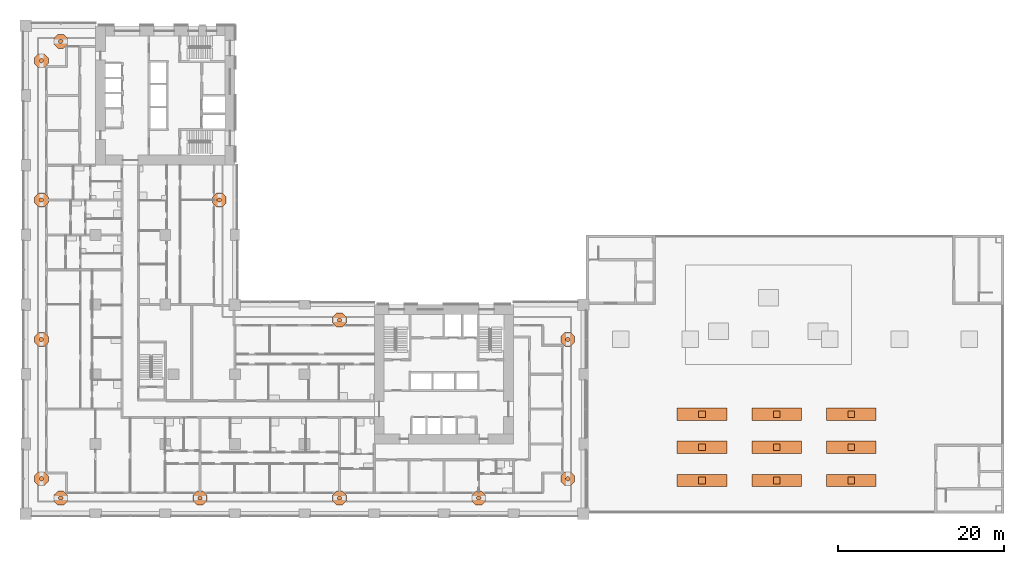
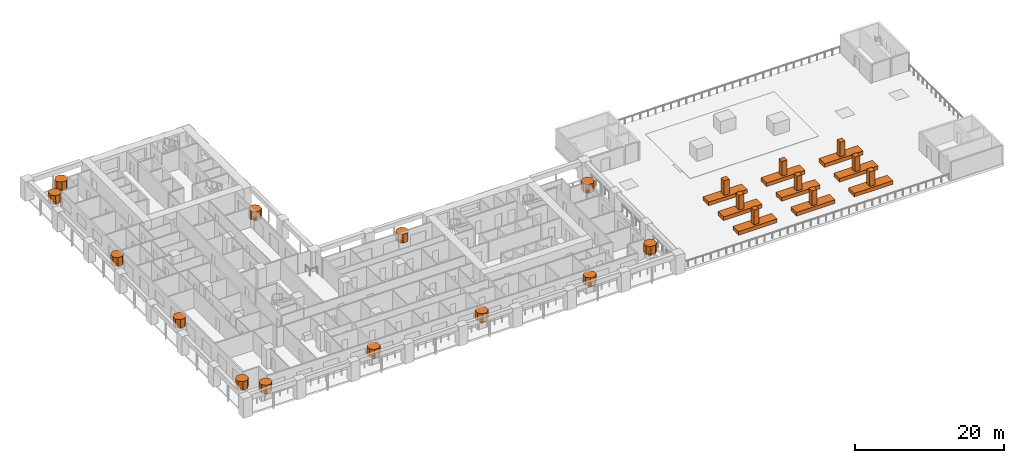
# One storey, part 23 of 23: 26 geographic elements, 18 proxies.
"""IFC4 building model written with IfcOpenShell, lengths in metres."""

from ifc_helpers import new_model, si_unit, direction, frame, origin, origin_2d, place, context, subcontext, project, spatial, polyline, rectangle, outline, extrude, material, element, save


model = new_model("IFC4")

# Units and contexts
model_context = context("Model", 3, precision=1e-05, world=origin(), true_north=direction((0.0, 1.0)))
body_context = subcontext(model_context, "Body", "Model", "MODEL_VIEW")
ifc_project = project(units=[si_unit("LENGTHUNIT", "METRE"), si_unit("AREAUNIT", "SQUARE_METRE"), si_unit("VOLUMEUNIT", "CUBIC_METRE"), si_unit("PLANEANGLEUNIT", "RADIAN"), si_unit("MASSUNIT", "GRAM", prefix="KILO")], contexts=[model_context])

# Site, building, storey
site_placement = place(None, origin())
site = spatial("IfcSite", under=ifc_project, at=site_placement, CompositionType="ELEMENT")
building_placement = place(site_placement, origin())
building = spatial("IfcBuilding", under=site, at=building_placement, Name="Vermilion Gate Residences", CompositionType="ELEMENT")
storey_placement = place(building_placement, frame((0.0, 0.0, 25.199951171875)))
storey = spatial("IfcBuildingStorey", under=building, at=storey_placement, Name="L04", CompositionType="ELEMENT", Elevation=25.199951171875)

# Geographic elements
ifc_material_1 = material(Name="Foliage")
geographic_element_1_placement = place(storey_placement, frame((0.0, 0.0, 0.900146484375)))
element("IfcGeographicElement", 1, at=geographic_element_1_placement, inside=storey, material=ifc_material_1, Name="Tree (black pine)", ObjectType="TREE", PredefinedType="USERDEFINED", context=body_context, shape_type="SweptSolid", body=[
    extrude(outline(polyline([(4.4541015625, 1.980224609375), (4.30517578125, 2.129150390625), (4.0947265625, 2.129150390625), (3.94580078125, 1.980224609375), (3.94580078125, 1.769775390625), (4.0947265625, 1.620849609375), (4.30517578125, 1.620849609375), (4.4541015625, 1.769775390625), (4.4541015625, 1.980224609375)])), origin(), (0.0, 0.0, 1.0), 0.52001953125),
])
geographic_element_2_placement = place(storey_placement, frame((0.0, 0.0, 1.420166015625)))
element("IfcGeographicElement", 2, at=geographic_element_2_placement, inside=storey, material=ifc_material_1, Name="Tree crown (black pine)", ObjectType="TREE", PredefinedType="USERDEFINED", context=body_context, shape_type="SweptSolid", body=[
    extrude(outline(polyline([(5.031494140625, 2.219482421875), (4.54443359375, 2.70654296875), (3.855712890625, 2.70654296875), (3.368408203125, 2.219482421875), (3.368408203125, 1.530517578125), (3.855712890625, 1.04345703125), (4.54443359375, 1.04345703125), (5.031494140625, 1.530517578125), (5.031494140625, 2.219482421875)])), origin(), (0.0, 0.0, 1.0), 1.39990234375),
])
geographic_element_3_placement = place(storey_placement, frame((0.0, 0.0, 0.900146484375)))
element("IfcGeographicElement", 3, at=geographic_element_3_placement, inside=storey, material=ifc_material_1, Name="Tree (maple)", ObjectType="TREE", PredefinedType="USERDEFINED", context=body_context, shape_type="SweptSolid", body=[
    extrude(outline(polyline([(21.254150390625, 1.980224609375), (21.105224609375, 2.129150390625), (20.894775390625, 2.129150390625), (20.745849609375, 1.980224609375), (20.745849609375, 1.769775390625), (20.894775390625, 1.620849609375), (21.105224609375, 1.620849609375), (21.254150390625, 1.769775390625), (21.254150390625, 1.980224609375)])), origin(), (0.0, 0.0, 1.0), 0.52001953125),
])
geographic_element_4_placement = place(storey_placement, frame((0.0, 0.0, 1.420166015625)))
element("IfcGeographicElement", 4, at=geographic_element_4_placement, inside=storey, material=ifc_material_1, Name="Tree crown (maple)", ObjectType="TREE", PredefinedType="USERDEFINED", context=body_context, shape_type="SweptSolid", body=[
    extrude(outline(polyline([(21.83154296875, 2.219482421875), (21.344482421875, 2.70654296875), (20.655517578125, 2.70654296875), (20.16845703125, 2.219482421875), (20.16845703125, 1.530517578125), (20.655517578125, 1.04345703125), (21.344482421875, 1.04345703125), (21.83154296875, 1.530517578125), (21.83154296875, 2.219482421875)])), origin(), (0.0, 0.0, 1.0), 1.39990234375),
])
geographic_element_5_placement = place(storey_placement, frame((0.0, 0.0, 0.900146484375)))
element("IfcGeographicElement", 5, at=geographic_element_5_placement, inside=storey, material=ifc_material_1, Name="Tree (black pine)", ObjectType="TREE", PredefinedType="USERDEFINED", context=body_context, shape_type="SweptSolid", body=[
    extrude(outline(polyline([(38.05419921875, 1.980224609375), (37.9052734375, 2.129150390625), (37.69482421875, 2.129150390625), (37.5458984375, 1.980224609375), (37.5458984375, 1.769775390625), (37.69482421875, 1.620849609375), (37.9052734375, 1.620849609375), (38.05419921875, 1.769775390625), (38.05419921875, 1.980224609375)])), origin(), (0.0, 0.0, 1.0), 0.52001953125),
])
geographic_element_6_placement = place(storey_placement, frame((0.0, 0.0, 1.420166015625)))
element("IfcGeographicElement", 6, at=geographic_element_6_placement, inside=storey, material=ifc_material_1, Name="Tree crown (black pine)", ObjectType="TREE", PredefinedType="USERDEFINED", context=body_context, shape_type="SweptSolid", body=[
    extrude(outline(polyline([(38.631591796875, 2.219482421875), (38.144287109375, 2.70654296875), (37.45556640625, 2.70654296875), (36.968505859375, 2.219482421875), (36.968505859375, 1.530517578125), (37.45556640625, 1.04345703125), (38.144287109375, 1.04345703125), (38.631591796875, 1.530517578125), (38.631591796875, 2.219482421875)])), origin(), (0.0, 0.0, 1.0), 1.39990234375),
])
geographic_element_7_placement = place(storey_placement, frame((0.0, 0.0, 0.900146484375)))
element("IfcGeographicElement", 7, at=geographic_element_7_placement, inside=storey, material=ifc_material_1, Name="Tree (maple)", ObjectType="TREE", PredefinedType="USERDEFINED", context=body_context, shape_type="SweptSolid", body=[
    extrude(outline(polyline([(54.85400390625, 1.980224609375), (54.705078125, 2.129150390625), (54.494873046875, 2.129150390625), (54.345947265625, 1.980224609375), (54.345947265625, 1.769775390625), (54.494873046875, 1.620849609375), (54.705078125, 1.620849609375), (54.85400390625, 1.769775390625), (54.85400390625, 1.980224609375)])), origin(), (0.0, 0.0, 1.0), 0.52001953125),
])
geographic_element_8_placement = place(storey_placement, frame((0.0, 0.0, 1.420166015625)))
element("IfcGeographicElement", 8, at=geographic_element_8_placement, inside=storey, material=ifc_material_1, Name="Tree crown (maple)", ObjectType="TREE", PredefinedType="USERDEFINED", context=body_context, shape_type="SweptSolid", body=[
    extrude(outline(polyline([(55.431396484375, 2.219482421875), (54.9443359375, 2.70654296875), (54.255615234375, 2.70654296875), (53.7685546875, 2.219482421875), (53.7685546875, 1.530517578125), (54.255615234375, 1.04345703125), (54.9443359375, 1.04345703125), (55.431396484375, 1.530517578125), (55.431396484375, 2.219482421875)])), origin(), (0.0, 0.0, 1.0), 1.39990234375),
])
geographic_element_9_placement = place(storey_placement, frame((0.0, 0.0, 0.900146484375)))
element("IfcGeographicElement", 9, at=geographic_element_9_placement, inside=storey, material=ifc_material_1, Name="Tree (black pine)", ObjectType="TREE", PredefinedType="USERDEFINED", context=body_context, shape_type="SweptSolid", body=[
    extrude(outline(polyline([(65.5791015625, 4.30517578125), (65.43017578125, 4.4541015625), (65.2197265625, 4.4541015625), (65.07080078125, 4.30517578125), (65.07080078125, 4.0947265625), (65.2197265625, 3.94580078125), (65.43017578125, 3.94580078125), (65.5791015625, 4.0947265625), (65.5791015625, 4.30517578125)])), origin(), (0.0, 0.0, 1.0), 0.52001953125),
])
geographic_element_10_placement = place(storey_placement, frame((0.0, 0.0, 1.420166015625)))
element("IfcGeographicElement", 10, at=geographic_element_10_placement, inside=storey, material=ifc_material_1, Name="Tree crown (black pine)", ObjectType="TREE", PredefinedType="USERDEFINED", context=body_context, shape_type="SweptSolid", body=[
    extrude(outline(polyline([(66.156494140625, 4.54443359375), (65.66943359375, 5.031494140625), (64.980712890625, 5.031494140625), (64.493408203125, 4.54443359375), (64.493408203125, 3.855712890625), (64.980712890625, 3.368408203125), (65.66943359375, 3.368408203125), (66.156494140625, 3.855712890625), (66.156494140625, 4.54443359375)])), origin(), (0.0, 0.0, 1.0), 1.39990234375),
])
geographic_element_11_placement = place(storey_placement, frame((0.0, 0.0, 0.900146484375)))
element("IfcGeographicElement", 11, at=geographic_element_11_placement, inside=storey, material=ifc_material_1, Name="Tree (maple)", ObjectType="TREE", PredefinedType="USERDEFINED", context=body_context, shape_type="SweptSolid", body=[
    extrude(outline(polyline([(65.5791015625, 21.105224609375), (65.43017578125, 21.254150390625), (65.2197265625, 21.254150390625), (65.07080078125, 21.105224609375), (65.07080078125, 20.894775390625), (65.2197265625, 20.745849609375), (65.43017578125, 20.745849609375), (65.5791015625, 20.894775390625), (65.5791015625, 21.105224609375)])), origin(), (0.0, 0.0, 1.0), 0.52001953125),
])
geographic_element_12_placement = place(storey_placement, frame((0.0, 0.0, 1.420166015625)))
element("IfcGeographicElement", 12, at=geographic_element_12_placement, inside=storey, material=ifc_material_1, Name="Tree crown (maple)", ObjectType="TREE", PredefinedType="USERDEFINED", context=body_context, shape_type="SweptSolid", body=[
    extrude(outline(polyline([(66.156494140625, 21.344482421875), (65.66943359375, 21.83154296875), (64.980712890625, 21.83154296875), (64.493408203125, 21.344482421875), (64.493408203125, 20.655517578125), (64.980712890625, 20.16845703125), (65.66943359375, 20.16845703125), (66.156494140625, 20.655517578125), (66.156494140625, 21.344482421875)])), origin(), (0.0, 0.0, 1.0), 1.39990234375),
])
geographic_element_13_placement = place(storey_placement, frame((0.0, 0.0, 0.900146484375)))
element("IfcGeographicElement", 13, at=geographic_element_13_placement, inside=storey, material=ifc_material_1, Name="Tree (black pine)", ObjectType="TREE", PredefinedType="USERDEFINED", context=body_context, shape_type="SweptSolid", body=[
    extrude(outline(polyline([(38.05419921875, 23.43017578125), (37.9052734375, 23.5791015625), (37.69482421875, 23.5791015625), (37.5458984375, 23.43017578125), (37.5458984375, 23.2197265625), (37.69482421875, 23.07080078125), (37.9052734375, 23.07080078125), (38.05419921875, 23.2197265625), (38.05419921875, 23.43017578125)])), origin(), (0.0, 0.0, 1.0), 0.52001953125),
])
geographic_element_14_placement = place(storey_placement, frame((0.0, 0.0, 1.420166015625)))
element("IfcGeographicElement", 14, at=geographic_element_14_placement, inside=storey, material=ifc_material_1, Name="Tree crown (black pine)", ObjectType="TREE", PredefinedType="USERDEFINED", context=body_context, shape_type="SweptSolid", body=[
    extrude(outline(polyline([(38.631591796875, 23.66943359375), (38.144287109375, 24.156494140625), (37.45556640625, 24.156494140625), (36.968505859375, 23.66943359375), (36.968505859375, 22.980712890625), (37.45556640625, 22.493408203125), (38.144287109375, 22.493408203125), (38.631591796875, 22.980712890625), (38.631591796875, 23.66943359375)])), origin(), (0.0, 0.0, 1.0), 1.39990234375),
])
geographic_element_15_placement = place(storey_placement, frame((0.0, 0.0, 0.900146484375)))
element("IfcGeographicElement", 15, at=geographic_element_15_placement, inside=storey, material=ifc_material_1, Name="Tree (black pine)", ObjectType="TREE", PredefinedType="USERDEFINED", context=body_context, shape_type="SweptSolid", body=[
    extrude(outline(polyline([(23.5791015625, 37.9052734375), (23.43017578125, 38.05419921875), (23.2197265625, 38.05419921875), (23.07080078125, 37.9052734375), (23.07080078125, 37.69482421875), (23.2197265625, 37.5458984375), (23.43017578125, 37.5458984375), (23.5791015625, 37.69482421875), (23.5791015625, 37.9052734375)])), origin(), (0.0, 0.0, 1.0), 0.52001953125),
])
geographic_element_16_placement = place(storey_placement, frame((0.0, 0.0, 1.420166015625)))
element("IfcGeographicElement", 16, at=geographic_element_16_placement, inside=storey, material=ifc_material_1, Name="Tree crown (black pine)", ObjectType="TREE", PredefinedType="USERDEFINED", context=body_context, shape_type="SweptSolid", body=[
    extrude(outline(polyline([(24.156494140625, 38.144287109375), (23.66943359375, 38.631591796875), (22.980712890625, 38.631591796875), (22.493408203125, 38.144287109375), (22.493408203125, 37.45556640625), (22.980712890625, 36.968505859375), (23.66943359375, 36.968505859375), (24.156494140625, 37.45556640625), (24.156494140625, 38.144287109375)])), origin(), (0.0, 0.0, 1.0), 1.39990234375),
])
geographic_element_17_placement = place(storey_placement, frame((0.0, 0.0, 0.900146484375)))
element("IfcGeographicElement", 17, at=geographic_element_17_placement, inside=storey, material=ifc_material_1, Name="Tree (black pine)", ObjectType="TREE", PredefinedType="USERDEFINED", context=body_context, shape_type="SweptSolid", body=[
    extrude(outline(polyline([(4.4541015625, 57.0302734375), (4.30517578125, 57.17919921875), (4.0947265625, 57.17919921875), (3.94580078125, 57.0302734375), (3.94580078125, 56.81982421875), (4.0947265625, 56.6708984375), (4.30517578125, 56.6708984375), (4.4541015625, 56.81982421875), (4.4541015625, 57.0302734375)])), origin(), (0.0, 0.0, 1.0), 0.52001953125),
])
geographic_element_18_placement = place(storey_placement, frame((0.0, 0.0, 1.420166015625)))
element("IfcGeographicElement", 18, at=geographic_element_18_placement, inside=storey, material=ifc_material_1, Name="Tree crown (black pine)", ObjectType="TREE", PredefinedType="USERDEFINED", context=body_context, shape_type="SweptSolid", body=[
    extrude(outline(polyline([(5.031494140625, 57.269287109375), (4.54443359375, 57.756591796875), (3.855712890625, 57.756591796875), (3.368408203125, 57.269287109375), (3.368408203125, 56.58056640625), (3.855712890625, 56.093505859375), (4.54443359375, 56.093505859375), (5.031494140625, 56.58056640625), (5.031494140625, 57.269287109375)])), origin(), (0.0, 0.0, 1.0), 1.39990234375),
])
geographic_element_19_placement = place(storey_placement, frame((0.0, 0.0, 0.900146484375)))
element("IfcGeographicElement", 19, at=geographic_element_19_placement, inside=storey, material=ifc_material_1, Name="Tree (black pine)", ObjectType="TREE", PredefinedType="USERDEFINED", context=body_context, shape_type="SweptSolid", body=[
    extrude(outline(polyline([(2.129150390625, 4.30517578125), (1.980224609375, 4.4541015625), (1.769775390625, 4.4541015625), (1.620849609375, 4.30517578125), (1.620849609375, 4.0947265625), (1.769775390625, 3.94580078125), (1.980224609375, 3.94580078125), (2.129150390625, 4.0947265625), (2.129150390625, 4.30517578125)])), origin(), (0.0, 0.0, 1.0), 0.52001953125),
])
geographic_element_20_placement = place(storey_placement, frame((0.0, 0.0, 1.420166015625)))
element("IfcGeographicElement", 20, at=geographic_element_20_placement, inside=storey, material=ifc_material_1, Name="Tree crown (black pine)", ObjectType="TREE", PredefinedType="USERDEFINED", context=body_context, shape_type="SweptSolid", body=[
    extrude(outline(polyline([(2.70654296875, 4.54443359375), (2.219482421875, 5.031494140625), (1.530517578125, 5.031494140625), (1.04345703125, 4.54443359375), (1.04345703125, 3.855712890625), (1.530517578125, 3.368408203125), (2.219482421875, 3.368408203125), (2.70654296875, 3.855712890625), (2.70654296875, 4.54443359375)])), origin(), (0.0, 0.0, 1.0), 1.39990234375),
])
geographic_element_21_placement = place(storey_placement, frame((0.0, 0.0, 0.900146484375)))
element("IfcGeographicElement", 21, at=geographic_element_21_placement, inside=storey, material=ifc_material_1, Name="Tree (maple)", ObjectType="TREE", PredefinedType="USERDEFINED", context=body_context, shape_type="SweptSolid", body=[
    extrude(outline(polyline([(2.129150390625, 21.105224609375), (1.980224609375, 21.254150390625), (1.769775390625, 21.254150390625), (1.620849609375, 21.105224609375), (1.620849609375, 20.894775390625), (1.769775390625, 20.745849609375), (1.980224609375, 20.745849609375), (2.129150390625, 20.894775390625), (2.129150390625, 21.105224609375)])), origin(), (0.0, 0.0, 1.0), 0.52001953125),
])
geographic_element_22_placement = place(storey_placement, frame((0.0, 0.0, 1.420166015625)))
element("IfcGeographicElement", 22, at=geographic_element_22_placement, inside=storey, material=ifc_material_1, Name="Tree crown (maple)", ObjectType="TREE", PredefinedType="USERDEFINED", context=body_context, shape_type="SweptSolid", body=[
    extrude(outline(polyline([(2.70654296875, 21.344482421875), (2.219482421875, 21.83154296875), (1.530517578125, 21.83154296875), (1.04345703125, 21.344482421875), (1.04345703125, 20.655517578125), (1.530517578125, 20.16845703125), (2.219482421875, 20.16845703125), (2.70654296875, 20.655517578125), (2.70654296875, 21.344482421875)])), origin(), (0.0, 0.0, 1.0), 1.39990234375),
])
geographic_element_23_placement = place(storey_placement, frame((0.0, 0.0, 0.900146484375)))
element("IfcGeographicElement", 23, at=geographic_element_23_placement, inside=storey, material=ifc_material_1, Name="Tree (black pine)", ObjectType="TREE", PredefinedType="USERDEFINED", context=body_context, shape_type="SweptSolid", body=[
    extrude(outline(polyline([(2.129150390625, 37.9052734375), (1.980224609375, 38.05419921875), (1.769775390625, 38.05419921875), (1.620849609375, 37.9052734375), (1.620849609375, 37.69482421875), (1.769775390625, 37.5458984375), (1.980224609375, 37.5458984375), (2.129150390625, 37.69482421875), (2.129150390625, 37.9052734375)])), origin(), (0.0, 0.0, 1.0), 0.52001953125),
])
geographic_element_24_placement = place(storey_placement, frame((0.0, 0.0, 1.420166015625)))
element("IfcGeographicElement", 24, at=geographic_element_24_placement, inside=storey, material=ifc_material_1, Name="Tree crown (black pine)", ObjectType="TREE", PredefinedType="USERDEFINED", context=body_context, shape_type="SweptSolid", body=[
    extrude(outline(polyline([(2.70654296875, 38.144287109375), (2.219482421875, 38.631591796875), (1.530517578125, 38.631591796875), (1.04345703125, 38.144287109375), (1.04345703125, 37.45556640625), (1.530517578125, 36.968505859375), (2.219482421875, 36.968505859375), (2.70654296875, 37.45556640625), (2.70654296875, 38.144287109375)])), origin(), (0.0, 0.0, 1.0), 1.39990234375),
])
geographic_element_25_placement = place(storey_placement, frame((0.0, 0.0, 0.900146484375)))
element("IfcGeographicElement", 25, at=geographic_element_25_placement, inside=storey, material=ifc_material_1, Name="Tree (maple)", ObjectType="TREE", PredefinedType="USERDEFINED", context=body_context, shape_type="SweptSolid", body=[
    extrude(outline(polyline([(2.129150390625, 54.705078125), (1.980224609375, 54.85400390625), (1.769775390625, 54.85400390625), (1.620849609375, 54.705078125), (1.620849609375, 54.494873046875), (1.769775390625, 54.345947265625), (1.980224609375, 54.345947265625), (2.129150390625, 54.494873046875), (2.129150390625, 54.705078125)])), origin(), (0.0, 0.0, 1.0), 0.52001953125),
])
geographic_element_26_placement = place(storey_placement, frame((0.0, 0.0, 1.420166015625)))
element("IfcGeographicElement", 26, at=geographic_element_26_placement, inside=storey, material=ifc_material_1, Name="Tree crown (maple)", ObjectType="TREE", PredefinedType="USERDEFINED", context=body_context, shape_type="SweptSolid", body=[
    extrude(outline(polyline([(2.70654296875, 54.9443359375), (2.219482421875, 55.431396484375), (1.530517578125, 55.431396484375), (1.04345703125, 54.9443359375), (1.04345703125, 54.255615234375), (1.530517578125, 53.7685546875), (2.219482421875, 53.7685546875), (2.70654296875, 54.255615234375), (2.70654296875, 54.9443359375)])), origin(), (0.0, 0.0, 1.0), 1.39990234375),
])

# Proxies
ifc_material_2 = material(Name="Planting soil")
proxy_1_placement = place(storey_placement, frame((81.5, 4.0, 0.0), z_axis=(0.0, 0.0, 1.0), x_axis=(1.0, 0.0, 0.0)))
element("IfcBuildingElementProxy", 27, at=proxy_1_placement, inside=storey, material=ifc_material_2, Name="Market garden bed 1", ObjectType="PLANTER", PredefinedType="USERDEFINED", context=body_context, shape_type="SweptSolid", body=[
    extrude(rectangle(XDim=6.0, YDim=1.5, at=origin_2d()), origin(), (0.0, 0.0, 1.0), 0.60009765625),
])
proxy_2_placement = place(storey_placement, frame((81.5, 4.0, 0.60009765625), z_axis=(0.0, 0.0, 1.0), x_axis=(1.0, 0.0, 0.0)))
element("IfcBuildingElementProxy", 28, at=proxy_2_placement, inside=storey, material=ifc_material_1, Name="Fruit tree 1", ObjectType="TREE", PredefinedType="USERDEFINED", context=body_context, shape_type="SweptSolid", body=[
    extrude(rectangle(XDim=0.800048828125, YDim=0.800048828125, at=origin_2d()), origin(), (0.0, 0.0, 1.0), 2.39990234375),
])
proxy_3_placement = place(storey_placement, frame((90.5, 4.0, 0.0), z_axis=(0.0, 0.0, 1.0), x_axis=(1.0, 0.0, 0.0)))
element("IfcBuildingElementProxy", 29, at=proxy_3_placement, inside=storey, material=ifc_material_2, Name="Market garden bed 2", ObjectType="PLANTER", PredefinedType="USERDEFINED", context=body_context, shape_type="SweptSolid", body=[
    extrude(rectangle(XDim=6.0, YDim=1.5, at=origin_2d()), origin(), (0.0, 0.0, 1.0), 0.60009765625),
])
proxy_4_placement = place(storey_placement, frame((90.5, 4.0, 0.60009765625), z_axis=(0.0, 0.0, 1.0), x_axis=(1.0, 0.0, 0.0)))
element("IfcBuildingElementProxy", 30, at=proxy_4_placement, inside=storey, material=ifc_material_1, Name="Fruit tree 2", ObjectType="TREE", PredefinedType="USERDEFINED", context=body_context, shape_type="SweptSolid", body=[
    extrude(rectangle(XDim=0.800048828125, YDim=0.800048828125, at=origin_2d()), origin(), (0.0, 0.0, 1.0), 2.39990234375),
])
proxy_5_placement = place(storey_placement, frame((99.5, 4.0, 0.0), z_axis=(0.0, 0.0, 1.0), x_axis=(1.0, 0.0, 0.0)))
element("IfcBuildingElementProxy", 31, at=proxy_5_placement, inside=storey, material=ifc_material_2, Name="Market garden bed 3", ObjectType="PLANTER", PredefinedType="USERDEFINED", context=body_context, shape_type="SweptSolid", body=[
    extrude(rectangle(XDim=6.0, YDim=1.5, at=origin_2d()), origin(), (0.0, 0.0, 1.0), 0.60009765625),
])
proxy_6_placement = place(storey_placement, frame((99.5, 4.0, 0.60009765625), z_axis=(0.0, 0.0, 1.0), x_axis=(1.0, 0.0, 0.0)))
element("IfcBuildingElementProxy", 32, at=proxy_6_placement, inside=storey, material=ifc_material_1, Name="Fruit tree 3", ObjectType="TREE", PredefinedType="USERDEFINED", context=body_context, shape_type="SweptSolid", body=[
    extrude(rectangle(XDim=0.800048828125, YDim=0.800048828125, at=origin_2d()), origin(), (0.0, 0.0, 1.0), 2.39990234375),
])
proxy_7_placement = place(storey_placement, frame((81.5, 8.0, 0.0), z_axis=(0.0, 0.0, 1.0), x_axis=(1.0, 0.0, 0.0)))
element("IfcBuildingElementProxy", 33, at=proxy_7_placement, inside=storey, material=ifc_material_2, Name="Market garden bed 4", ObjectType="PLANTER", PredefinedType="USERDEFINED", context=body_context, shape_type="SweptSolid", body=[
    extrude(rectangle(XDim=6.0, YDim=1.5, at=origin_2d()), origin(), (0.0, 0.0, 1.0), 0.60009765625),
])
proxy_8_placement = place(storey_placement, frame((81.5, 8.0, 0.60009765625), z_axis=(0.0, 0.0, 1.0), x_axis=(1.0, 0.0, 0.0)))
element("IfcBuildingElementProxy", 34, at=proxy_8_placement, inside=storey, material=ifc_material_1, Name="Fruit tree 4", ObjectType="TREE", PredefinedType="USERDEFINED", context=body_context, shape_type="SweptSolid", body=[
    extrude(rectangle(XDim=0.800048828125, YDim=0.800048828125, at=origin_2d()), origin(), (0.0, 0.0, 1.0), 2.39990234375),
])
proxy_9_placement = place(storey_placement, frame((90.5, 8.0, 0.0), z_axis=(0.0, 0.0, 1.0), x_axis=(1.0, 0.0, 0.0)))
element("IfcBuildingElementProxy", 35, at=proxy_9_placement, inside=storey, material=ifc_material_2, Name="Market garden bed 5", ObjectType="PLANTER", PredefinedType="USERDEFINED", context=body_context, shape_type="SweptSolid", body=[
    extrude(rectangle(XDim=6.0, YDim=1.5, at=origin_2d()), origin(), (0.0, 0.0, 1.0), 0.60009765625),
])
proxy_10_placement = place(storey_placement, frame((90.5, 8.0, 0.60009765625), z_axis=(0.0, 0.0, 1.0), x_axis=(1.0, 0.0, 0.0)))
element("IfcBuildingElementProxy", 36, at=proxy_10_placement, inside=storey, material=ifc_material_1, Name="Fruit tree 5", ObjectType="TREE", PredefinedType="USERDEFINED", context=body_context, shape_type="SweptSolid", body=[
    extrude(rectangle(XDim=0.800048828125, YDim=0.800048828125, at=origin_2d()), origin(), (0.0, 0.0, 1.0), 2.39990234375),
])
proxy_11_placement = place(storey_placement, frame((99.5, 8.0, 0.0), z_axis=(0.0, 0.0, 1.0), x_axis=(1.0, 0.0, 0.0)))
element("IfcBuildingElementProxy", 37, at=proxy_11_placement, inside=storey, material=ifc_material_2, Name="Market garden bed 6", ObjectType="PLANTER", PredefinedType="USERDEFINED", context=body_context, shape_type="SweptSolid", body=[
    extrude(rectangle(XDim=6.0, YDim=1.5, at=origin_2d()), origin(), (0.0, 0.0, 1.0), 0.60009765625),
])
proxy_12_placement = place(storey_placement, frame((99.5, 8.0, 0.60009765625), z_axis=(0.0, 0.0, 1.0), x_axis=(1.0, 0.0, 0.0)))
element("IfcBuildingElementProxy", 38, at=proxy_12_placement, inside=storey, material=ifc_material_1, Name="Fruit tree 6", ObjectType="TREE", PredefinedType="USERDEFINED", context=body_context, shape_type="SweptSolid", body=[
    extrude(rectangle(XDim=0.800048828125, YDim=0.800048828125, at=origin_2d()), origin(), (0.0, 0.0, 1.0), 2.39990234375),
])
proxy_13_placement = place(storey_placement, frame((81.5, 12.0, 0.0), z_axis=(0.0, 0.0, 1.0), x_axis=(1.0, 0.0, 0.0)))
element("IfcBuildingElementProxy", 39, at=proxy_13_placement, inside=storey, material=ifc_material_2, Name="Market garden bed 7", ObjectType="PLANTER", PredefinedType="USERDEFINED", context=body_context, shape_type="SweptSolid", body=[
    extrude(rectangle(XDim=6.0, YDim=1.5, at=origin_2d()), origin(), (0.0, 0.0, 1.0), 0.60009765625),
])
proxy_14_placement = place(storey_placement, frame((81.5, 12.0, 0.60009765625), z_axis=(0.0, 0.0, 1.0), x_axis=(1.0, 0.0, 0.0)))
element("IfcBuildingElementProxy", 40, at=proxy_14_placement, inside=storey, material=ifc_material_1, Name="Fruit tree 7", ObjectType="TREE", PredefinedType="USERDEFINED", context=body_context, shape_type="SweptSolid", body=[
    extrude(rectangle(XDim=0.800048828125, YDim=0.800048828125, at=origin_2d()), origin(), (0.0, 0.0, 1.0), 2.39990234375),
])
proxy_15_placement = place(storey_placement, frame((90.5, 12.0, 0.0), z_axis=(0.0, 0.0, 1.0), x_axis=(1.0, 0.0, 0.0)))
element("IfcBuildingElementProxy", 41, at=proxy_15_placement, inside=storey, material=ifc_material_2, Name="Market garden bed 8", ObjectType="PLANTER", PredefinedType="USERDEFINED", context=body_context, shape_type="SweptSolid", body=[
    extrude(rectangle(XDim=6.0, YDim=1.5, at=origin_2d()), origin(), (0.0, 0.0, 1.0), 0.60009765625),
])
proxy_16_placement = place(storey_placement, frame((90.5, 12.0, 0.60009765625), z_axis=(0.0, 0.0, 1.0), x_axis=(1.0, 0.0, 0.0)))
element("IfcBuildingElementProxy", 42, at=proxy_16_placement, inside=storey, material=ifc_material_1, Name="Fruit tree 8", ObjectType="TREE", PredefinedType="USERDEFINED", context=body_context, shape_type="SweptSolid", body=[
    extrude(rectangle(XDim=0.800048828125, YDim=0.800048828125, at=origin_2d()), origin(), (0.0, 0.0, 1.0), 2.39990234375),
])
proxy_17_placement = place(storey_placement, frame((99.5, 12.0, 0.0), z_axis=(0.0, 0.0, 1.0), x_axis=(1.0, 0.0, 0.0)))
element("IfcBuildingElementProxy", 43, at=proxy_17_placement, inside=storey, material=ifc_material_2, Name="Market garden bed 9", ObjectType="PLANTER", PredefinedType="USERDEFINED", context=body_context, shape_type="SweptSolid", body=[
    extrude(rectangle(XDim=6.0, YDim=1.5, at=origin_2d()), origin(), (0.0, 0.0, 1.0), 0.60009765625),
])
proxy_18_placement = place(storey_placement, frame((99.5, 12.0, 0.60009765625), z_axis=(0.0, 0.0, 1.0), x_axis=(1.0, 0.0, 0.0)))
element("IfcBuildingElementProxy", 44, at=proxy_18_placement, inside=storey, material=ifc_material_1, Name="Fruit tree 9", ObjectType="TREE", PredefinedType="USERDEFINED", context=body_context, shape_type="SweptSolid", body=[
    extrude(rectangle(XDim=0.800048828125, YDim=0.800048828125, at=origin_2d()), origin(), (0.0, 0.0, 1.0), 2.39990234375),
])

save(model, "model.ifc")
